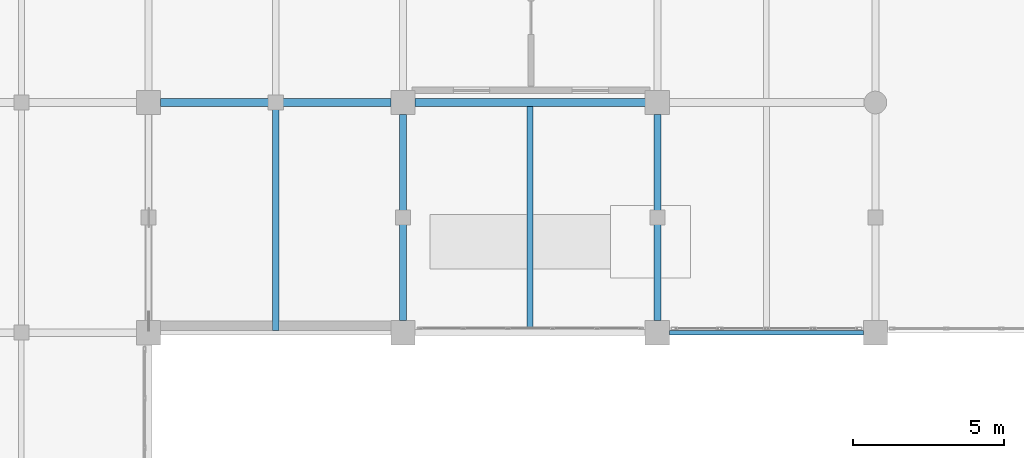
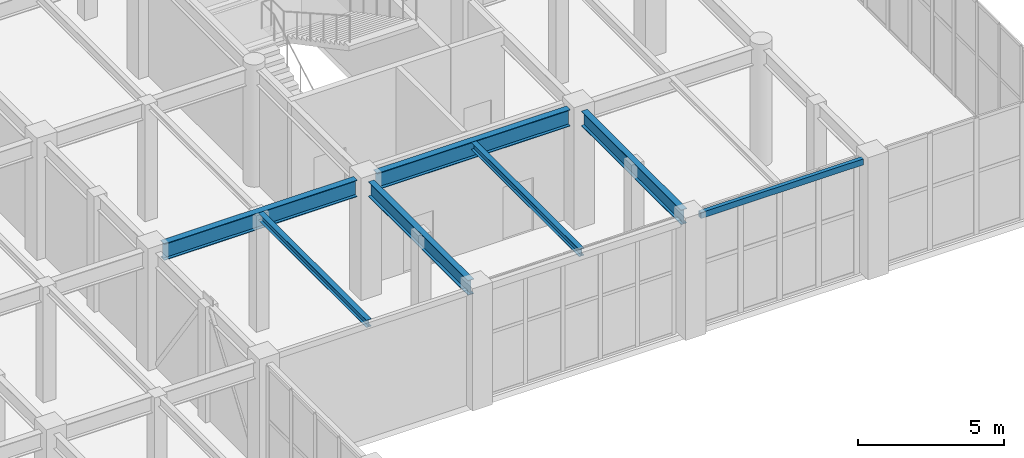
# One storey, part 42 of 128: 7 beams.
"""IFC4 building model written with IfcOpenShell, lengths in metres."""

from ifc_helpers import new_model, si_unit, direction, frame, origin, origin_2d, place, context, subcontext, project, spatial, hollow_rectangle, i_section, extrude, material, material_profile, profile_set, type_object, element, save


model = new_model("IFC4")

# Units and contexts
model_context = context("Model", 3, precision=1e-05, world=origin(), true_north=direction((0.0, 1.0)))
body_context = subcontext(model_context, "Body", "Model", "MODEL_VIEW")
ifc_project = project(units=[si_unit("LENGTHUNIT", "METRE"), si_unit("AREAUNIT", "SQUARE_METRE"), si_unit("VOLUMEUNIT", "CUBIC_METRE"), si_unit("PLANEANGLEUNIT", "RADIAN"), si_unit("MASSUNIT", "GRAM", prefix="KILO")], contexts=[model_context])

# Site, building, storey
site_placement = place(None, origin())
site = spatial("IfcSite", under=ifc_project, at=site_placement, CompositionType="ELEMENT")
building_placement = place(site_placement, origin())
building = spatial("IfcBuilding", under=site, at=building_placement, Name="Xicomal Pleat Aquarium", CompositionType="ELEMENT")
storey_placement = place(building_placement, frame((0.0, 0.0, 5.39990234375)))
storey = spatial("IfcBuildingStorey", under=building, at=storey_placement, Name="L02", CompositionType="ELEMENT", Elevation=5.39990234375)

# Beams
ifc_material_1 = material(Name="Structural steel A992 Gr 50", Category="steel")
ifc_material_profile_1 = material_profile(ifc_material_1, i_section(OverallWidth=0.202880859375, OverallDepth=0.302978515625, WebThickness=0.007568359375, FlangeThickness=0.01318359375, at=origin_2d()), Name="IR 310x60")
ifc_profile_set_1 = profile_set([ifc_material_profile_1], Name="Structural steel A992 Gr 50")
beam_type_1 = type_object("IfcBeamType", Name="BM-STL-IR310", PredefinedType="JOIST", material=ifc_profile_set_1)
beam_1_placement = place(storey_placement, frame((98.39990234375, 38.077880859375, 4.70849609375), z_axis=(0.0, 1.0, 0.0), x_axis=(-1.0, 0.0, 0.0)))
element("IfcBeam", 1, at=beam_1_placement, inside=storey, type_object=beam_type_1, Name="L02 framing beam FBJ-L02-12-F-1", PredefinedType="JOIST", context=body_context, shape_type="SweptSolid", body=[
    extrude(i_section(OverallWidth=0.202880859375, OverallDepth=0.302978515625, WebThickness=0.007568359375, FlangeThickness=0.01318359375, at=origin_2d()), origin(), (0.0, 0.0, 1.0), 7.39111328125),
])
beam_2_placement = place(storey_placement, frame((106.800048828125, 38.10302734375, 4.70849609375), z_axis=(0.0, 1.0, 0.0), x_axis=(-1.0, 0.0, 0.0)))
element("IfcBeam", 2, at=beam_2_placement, inside=storey, type_object=beam_type_1, Name="L02 framing beam FBJ-L02-13-F-1", PredefinedType="JOIST", context=body_context, shape_type="SweptSolid", body=[
    extrude(i_section(OverallWidth=0.202880859375, OverallDepth=0.302978515625, WebThickness=0.007568359375, FlangeThickness=0.01318359375, at=origin_2d()), origin(), (0.0, 0.0, 1.0), 7.365966796875),
])
ifc_material_2 = material(Name="Structural steel A992 Gr 50", Category="steel")
ifc_material_profile_2 = material_profile(ifc_material_2, i_section(OverallWidth=0.22998046875, OverallDepth=0.616943359375, WebThickness=0.01318359375, FlangeThickness=0.022216796875, at=origin_2d()), Name="IR 610x140")
ifc_profile_set_2 = profile_set([ifc_material_profile_2], Name="Structural steel A992 Gr 50")
beam_type_2 = type_object("IfcBeamType", Name="BM-STL-IR610", PredefinedType="BEAM", material=ifc_profile_set_2)
for number, where, z_axis, x_axis, name in (
    (3, (102.60009765625, 38.39501953125, 4.551513671875), (0.0, 1.0, 0.0), (-1.0, 0.0, 0.0), "L02 framing beam FGY-L02-13-F-G"),
    (4, (111.0, 38.39501953125, 4.551513671875), (0.0, 1.0, 0.0), (-1.0, 0.0, 0.0), "L02 framing beam FGY-L02-14-F-G"),
):
    element("IfcBeam", number, at=place(storey_placement, frame(where, z_axis=z_axis, x_axis=x_axis)), inside=storey, type_object=beam_type_2, Name=name, PredefinedType="BEAM", context=body_context, shape_type="SweptSolid", body=[
        extrude(i_section(OverallWidth=0.22998046875, OverallDepth=0.616943359375, WebThickness=0.01318359375, FlangeThickness=0.022216796875, at=origin_2d()), origin(), (0.0, 0.0, 1.0), 6.81005859375),
    ])
ifc_material_3 = material(Name="Structural steel A992 Gr 50", Category="steel")
ifc_material_profile_3 = material_profile(ifc_material_3, i_section(OverallWidth=0.256103515625, OverallDepth=0.693115234375, WebThickness=0.014404296875, FlangeThickness=0.023681640625, at=origin_2d()), Name="IR 690x170")
ifc_profile_set_3 = profile_set([ifc_material_profile_3], Name="Structural steel A992 Gr 50")
beam_type_3 = type_object("IfcBeamType", Name="BM-STL-IR690", PredefinedType="BEAM", material=ifc_profile_set_3)
beam_3_placement = place(storey_placement, frame((94.594970703125, 45.60009765625, 4.513671875), z_axis=(1.0, 0.0, 0.0), x_axis=(0.0, 1.0, 0.0)))
element("IfcBeam", 5, at=beam_3_placement, inside=storey, type_object=beam_type_3, Name="L02 framing beam FGX-L02-12-13-G", PredefinedType="BEAM", context=body_context, shape_type="SweptSolid", body=[
    extrude(i_section(OverallWidth=0.256103515625, OverallDepth=0.693115234375, WebThickness=0.014404296875, FlangeThickness=0.023681640625, at=origin_2d()), origin(), (0.0, 0.0, 1.0), 7.610107421875),
])
beam_4_placement = place(storey_placement, frame((102.9951171875, 45.60009765625, 4.513671875), z_axis=(1.0, 0.0, 0.0), x_axis=(0.0, 1.0, 0.0)))
element("IfcBeam", 6, at=beam_4_placement, inside=storey, type_object=beam_type_3, Name="L02 framing beam FGX-L02-13-14-G", PredefinedType="BEAM", context=body_context, shape_type="SweptSolid", body=[
    extrude(i_section(OverallWidth=0.256103515625, OverallDepth=0.693115234375, WebThickness=0.014404296875, FlangeThickness=0.023681640625, at=origin_2d()), origin(), (0.0, 0.0, 1.0), 7.60986328125),
])
ifc_material_4 = material(Name="Structural steel A500 Gr C", Category="steel")
ifc_material_profile_4 = material_profile(ifc_material_4, hollow_rectangle(XDim=0.14990234375, YDim=0.25, WallThickness=0.010009765625, at=origin_2d()), Name="OR 250x150x10")
ifc_profile_set_4 = profile_set([ifc_material_profile_4], Name="Structural steel A500 Gr C")
beam_type_4 = type_object("IfcBeamType", Name="BM-STL-OR250", PredefinedType="SPANDREL", material=ifc_profile_set_4)
beam_5_placement = place(storey_placement, frame((111.39501953125, 38.0, 4.735107421875), z_axis=(1.0, 0.0, 0.0), x_axis=(0.0, 1.0, 0.0)))
element("IfcBeam", 7, at=beam_5_placement, inside=storey, type_object=beam_type_4, Name="L02 framing beam FGX-L02-14-15-F", PredefinedType="SPANDREL", context=body_context, shape_type="SweptSolid", body=[
    extrude(hollow_rectangle(XDim=0.14990234375, YDim=0.25, WallThickness=0.010009765625, at=origin_2d()), origin(), (0.0, 0.0, 1.0), 6.409912109375),
])

save(model, "model.ifc")
